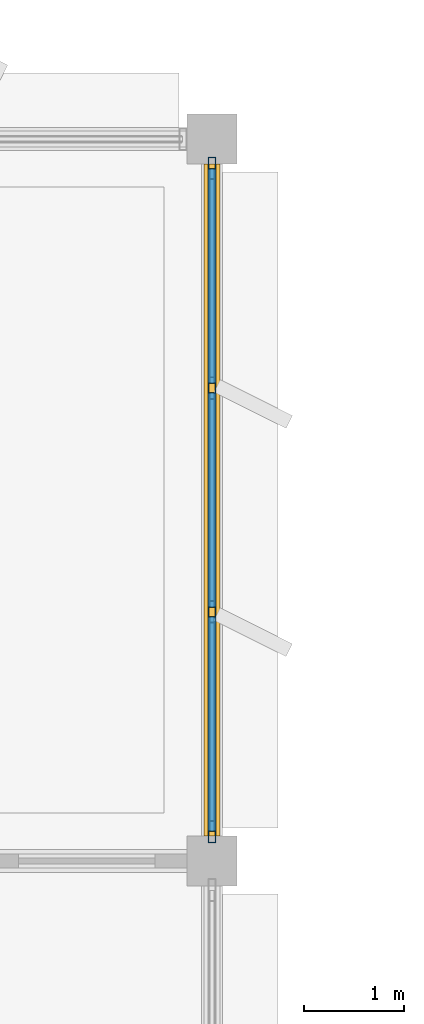
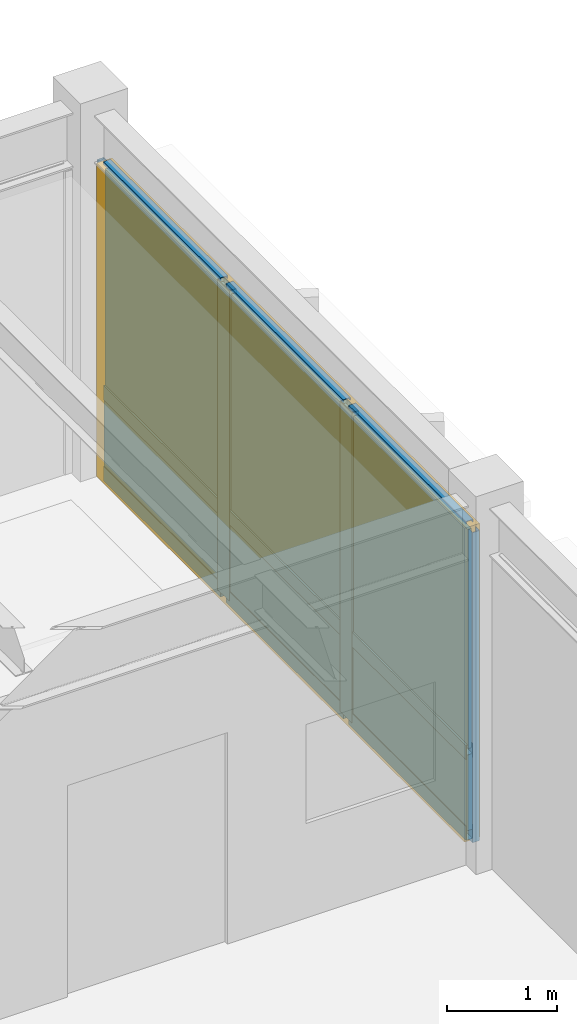
# One storey, part 69 of 85: 13 members, 6 plates, 1 curtain wall.
"""IFC4 building model written with IfcOpenShell, lengths in metres."""

import ifcopenshell
import ifcopenshell.guid

model = None  # the IFC model being written
_history = None  # IfcOwnerHistory: only IFC2X3 demands one
_inside = {}  # id of a spatial element -> (the spatial element, [elements in it])
_under = {}  # id of a project, library or spatial element -> (it, [spatial elements below it])
_declared = {}  # id of a project -> (the project, [libraries it declares])
_typed = {}  # id of a type object -> (the type object, [elements of that type])
_made_of = {}  # id of a material, layer set ... -> (it, [elements and type objects made of it])


def new_model(schema):
    """Start an empty IFC model of exactly this schema.

    Asked for "IFC4X3", IfcOpenShell would pick the latest addendum, in which some entities
    have other attributes; the version numbers below select the first issue.
    IFC2X3 requires an IfcOwnerHistory on every rooted entity: one is made here for all.
    """
    global model, _history
    if schema == "IFC4X3":
        model = ifcopenshell.file(schema_version=(4, 3, 0, 0))
    else:
        model = ifcopenshell.file(schema=schema)
    _inside.clear()
    _under.clear()
    _declared.clear()
    _typed.clear()
    _made_of.clear()
    _history = None
    if model.schema == "IFC2X3":
        org = make("IfcOrganization", Name="unknown")
        user = make(
            "IfcPersonAndOrganization",
            ThePerson=make("IfcPerson", FamilyName="unknown"),
            TheOrganization=org,
        )
        app = make(
            "IfcApplication",
            ApplicationDeveloper=org,
            Version="unknown",
            ApplicationFullName="unknown",
            ApplicationIdentifier="unknown",
        )
        _history = make(
            "IfcOwnerHistory",
            OwningUser=user,
            OwningApplication=app,
            ChangeAction="ADDED",
            CreationDate=0,
        )
    return model


def make(cls, **values):
    """One entity of the class cls with the attributes given. An attribute that is None is left unset."""
    return model.create_entity(
        cls, **{name: value for name, value in values.items() if value is not None}
    )


def rooted(cls, **values):
    """An entity with a GlobalId (a new one), such as an element, a storey or a relation."""
    return make(cls, GlobalId=ifcopenshell.guid.new(), OwnerHistory=_history, **values)


def si_unit(unit_type, name, prefix=None):
    """IfcSIUnit, for example si_unit("LENGTHUNIT", "METRE", prefix="MILLI")."""
    return make("IfcSIUnit", UnitType=unit_type, Prefix=prefix, Name=name)


def assignment(units):
    """IfcUnitAssignment: the units of a project."""
    return None if units is None else make("IfcUnitAssignment", Units=units)


def point(xyz):
    """IfcCartesianPoint."""
    return None if xyz is None else make("IfcCartesianPoint", Coordinates=xyz)


def direction(xyz):
    """IfcDirection."""
    return None if xyz is None else make("IfcDirection", DirectionRatios=xyz)


def frame(location, z_axis=None, x_axis=None):
    """IfcAxis2Placement3D, a coordinate frame: its origin and axes. An axis left out is left unset."""
    return make(
        "IfcAxis2Placement3D",
        Location=point(location),
        Axis=direction(z_axis),
        RefDirection=direction(x_axis),
    )


def frame_2d(location, x_axis=None):
    """IfcAxis2Placement2D, a coordinate frame in the plane: its origin and x axis."""
    return make(
        "IfcAxis2Placement2D", Location=point(location), RefDirection=direction(x_axis)
    )


def origin():
    """The frame at (0, 0, 0) with its axes left unset."""
    return frame((0.0, 0.0, 0.0))


def origin_2d():
    """The frame at (0, 0) in the plane with its x axis left unset."""
    return frame_2d((0.0, 0.0))


def place(relative_to, where):
    """IfcLocalPlacement: puts the frame where relative to a parent placement (None: the world)."""
    return make(
        "IfcLocalPlacement", PlacementRelTo=relative_to, RelativePlacement=where
    )


def context(
    kind, dimensions, precision=None, world=None, true_north=None, identifier=None
):
    """IfcGeometricRepresentationContext, for example the 3D "Model" context."""
    return make(
        "IfcGeometricRepresentationContext",
        ContextIdentifier=identifier,
        ContextType=kind,
        CoordinateSpaceDimension=dimensions,
        Precision=precision,
        WorldCoordinateSystem=world,
        TrueNorth=true_north,
    )


def subcontext(parent, identifier, kind, view, scale=None):
    """IfcGeometricRepresentationSubContext, for example "Body" below "Model"."""
    return make(
        "IfcGeometricRepresentationSubContext",
        ContextIdentifier=identifier,
        ContextType=kind,
        ParentContext=parent,
        TargetScale=scale,
        TargetView=view,
    )


def project(units=None, contexts=None):
    """IfcProject with its units and contexts."""
    return rooted(
        "IfcProject",
        Name="project",
        RepresentationContexts=contexts,
        UnitsInContext=assignment(units),
    )


def spatial(cls, under=None, at=None, **own):
    """A site, building, storey or space (cls), placed at a placement, below another one or the project."""
    s = rooted(cls, ObjectPlacement=at, **own)
    if under is not None:
        _under.setdefault(under.id(), (under, []))[1].append(s)
    return s


def profile(cls, at=None, kind="AREA", **sizes):
    """A parametric profile (cls). Its sizes go by their IFC names, for example OverallWidth=200.0."""
    return make(cls, ProfileType=kind, Position=at, **sizes)


def rectangle(**sizes):
    """IfcRectangleProfileDef."""
    return profile("IfcRectangleProfileDef", **sizes)


def hollow_rectangle(**sizes):
    """IfcRectangleHollowProfileDef."""
    return profile("IfcRectangleHollowProfileDef", **sizes)


def extrude(swept, where, along, depth):
    """IfcExtrudedAreaSolid: the profile swept, set in the frame where, extruded along a direction by depth."""
    return make(
        "IfcExtrudedAreaSolid",
        SweptArea=swept,
        Position=where,
        ExtrudedDirection=direction(along),
        Depth=depth,
    )


def shape(context_of_items, identifier, shape_type, items):
    """IfcShapeRepresentation: the items that make up one representation, for example the "Body"."""
    return make(
        "IfcShapeRepresentation",
        ContextOfItems=context_of_items,
        RepresentationIdentifier=identifier,
        RepresentationType=shape_type,
        Items=items,
    )


def material(Name=None, Category=None):
    """IfcMaterial."""
    return make("IfcMaterial", Name=Name, Category=Category)


def layer(
    of_material, thickness, ventilated=None, Name=None, Category=None, Priority=None
):
    """IfcMaterialLayer: one layer of a wall or slab, of a material (None: an air gap)."""
    return make(
        "IfcMaterialLayer",
        Material=of_material,
        LayerThickness=thickness,
        IsVentilated=ventilated,
        Name=Name,
        Category=Category,
        Priority=Priority,
    )


def layer_set(layers, Name=None):
    """IfcMaterialLayerSet."""
    return make("IfcMaterialLayerSet", MaterialLayers=layers, LayerSetName=Name)


def material_profile(
    of_material, cross_section, Name=None, Category=None, Priority=None
):
    """IfcMaterialProfile: a cross section and its material."""
    return make(
        "IfcMaterialProfile",
        Name=Name,
        Material=of_material,
        Profile=cross_section,
        Priority=Priority,
        Category=Category,
    )


def profile_set(profiles, Name=None, composite=None):
    """IfcMaterialProfileSet."""
    return make(
        "IfcMaterialProfileSet",
        Name=Name,
        MaterialProfiles=profiles,
        CompositeProfile=composite,
    )


def made_of(thing, what):
    """Note that an element or type object is made of a material, layer set ...; save() writes the relation."""
    if what is not None:
        _made_of.setdefault(what.id(), (what, []))[1].append(thing)
    return thing


def type_object(cls, material=None, **own):
    """A type object (cls), such as IfcWallType, which elements share."""
    return made_of(rooted(cls, **own), material)


def element(
    cls,
    number,
    at=None,
    inside=None,
    cuts=None,
    type_object=None,
    material=None,
    context=None,
    identifier="Body",
    shape_type=None,
    held_by="IfcProductDefinitionShape",
    body=None,
    shapes=None,
    **own,
):
    """One element of the class cls, such as IfcWall. Its Tag is "e" and its number.

    at: its placement. inside: the storey or other place that contains it. cuts: it is an
    opening in that element (IfcRelVoidsElement). A single representation is given by context,
    identifier, shape_type and body (its items); several are given by shapes. held_by: the class
    of the entity that holds the representations. save() writes the other relations.
    """
    e = rooted(cls, Tag="e%d" % number, ObjectPlacement=at, **own)
    if body is not None:
        shapes = [shape(context, identifier, shape_type, body)]
    if shapes is not None:
        e.Representation = make(held_by, Representations=shapes)
    if inside is not None:
        _inside.setdefault(inside.id(), (inside, []))[1].append(e)
    if cuts is not None:
        rooted(
            "IfcRelVoidsElement", RelatingBuildingElement=cuts, RelatedOpeningElement=e
        )
    if type_object is not None:
        _typed.setdefault(type_object.id(), (type_object, []))[1].append(e)
    return made_of(e, material)


def aggregate(whole, parts):
    """IfcRelAggregates: a whole, such as a stair, and the parts it consists of."""
    return rooted("IfcRelAggregates", RelatingObject=whole, RelatedObjects=parts)


def save(model, path):
    """Write the relations noted so far, then the file.

    IfcRelAggregates (storeys below a building ...), IfcRelContainedInSpatialStructure (elements
    in a storey), IfcRelDefinesByType, IfcRelAssociatesMaterial and IfcRelDeclares: one each for
    every whole, place, type object, material and project.
    """
    for whole, parts in _under.values():
        aggregate(whole, parts)
    for where, things in _inside.values():
        rooted(
            "IfcRelContainedInSpatialStructure",
            RelatedElements=things,
            RelatingStructure=where,
        )
    for kind, things in _typed.values():
        rooted("IfcRelDefinesByType", RelatedObjects=things, RelatingType=kind)
    for what, things in _made_of.values():
        rooted("IfcRelAssociatesMaterial", RelatedObjects=things, RelatingMaterial=what)
    for by, libraries in _declared.values():
        rooted("IfcRelDeclares", RelatingContext=by, RelatedDefinitions=libraries)
    model.write(path)


model = new_model("IFC4")

# Units and contexts
model_context = context("Model", 3, precision=1e-05, world=origin(), true_north=direction((0.0, 1.0)))
body_context = subcontext(model_context, "Body", "Model", "MODEL_VIEW")
ifc_project = project(units=[si_unit("LENGTHUNIT", "METRE"), si_unit("AREAUNIT", "SQUARE_METRE"), si_unit("VOLUMEUNIT", "CUBIC_METRE"), si_unit("PLANEANGLEUNIT", "RADIAN"), si_unit("MASSUNIT", "GRAM", prefix="KILO")], contexts=[model_context])

# Member
ifc_material_1 = material(Name="Anodized Aluminium 6063-T6", Category="aluminium")
ifc_material_profile_1 = material_profile(ifc_material_1, hollow_rectangle(XDim=0.074951171875, YDim=0.219970703125, WallThickness=0.0048828125, at=origin_2d()), Name="ALU 75x220x5")
ifc_profile_set_1 = profile_set([ifc_material_profile_1], Name="Anodized Aluminium 6063-T6")
member_type_1 = type_object("IfcMemberType", Name="CWM-75X180", PredefinedType="MULLION", material=ifc_profile_set_1)
site_placement = place(None, origin())
building_placement = place(site_placement, origin())
storey_placement = place(building_placement, frame((0.0, 0.0, 9.89990234375)))
member_1_placement = place(storey_placement, frame((136.800048828125, 78.909912109375, 0.02001953125), z_axis=(0.0, 0.0, 1.0), x_axis=(1.0, 0.0, 0.0)))
member_1 = element("IfcMember", 1, at=member_1_placement, type_object=member_type_1, Name="Curtain wall mullion CW-L03-18-10-E-00", PredefinedType="MULLION", context=body_context, shape_type="SweptSolid", body=[
    extrude(hollow_rectangle(XDim=0.074951171875, YDim=0.219970703125, WallThickness=0.0048828125, at=origin_2d()), origin(), (0.0, 0.0, 1.0), 3.447021484375),
])

member_2_placement = place(storey_placement, frame((136.800048828125, 76.716796875, 0.02001953125), z_axis=(0.0, 0.0, 1.0), x_axis=(1.0, 0.0, 0.0)))
member_2 = element("IfcMember", 2, at=member_2_placement, type_object=member_type_1, Name="Curtain wall mullion CW-L03-18-10-E-01", PredefinedType="MULLION", context=body_context, shape_type="SweptSolid", body=[
    extrude(hollow_rectangle(XDim=0.074951171875, YDim=0.219970703125, WallThickness=0.0048828125, at=origin_2d()), origin(), (0.0, 0.0, 1.0), 3.447021484375),
])

member_3_placement = place(storey_placement, frame((136.800048828125, 74.4833984375, 0.02001953125), z_axis=(0.0, 0.0, 1.0), x_axis=(1.0, 0.0, 0.0)))
member_3 = element("IfcMember", 3, at=member_3_placement, type_object=member_type_1, Name="Curtain wall mullion CW-L03-18-10-E-02", PredefinedType="MULLION", context=body_context, shape_type="SweptSolid", body=[
    extrude(hollow_rectangle(XDim=0.074951171875, YDim=0.219970703125, WallThickness=0.0048828125, at=origin_2d()), origin(), (0.0, 0.0, 1.0), 3.447021484375),
])

member_4_placement = place(storey_placement, frame((136.800048828125, 72.2900390625, 0.02001953125), z_axis=(0.0, 0.0, 1.0), x_axis=(1.0, 0.0, 0.0)))
member_4 = element("IfcMember", 4, at=member_4_placement, type_object=member_type_1, Name="Curtain wall mullion CW-L03-18-10-E-03", PredefinedType="MULLION", context=body_context, shape_type="SweptSolid", body=[
    extrude(hollow_rectangle(XDim=0.074951171875, YDim=0.219970703125, WallThickness=0.0048828125, at=origin_2d()), origin(), (0.0, 0.0, 1.0), 3.447021484375),
])

ifc_material_profile_2 = material_profile(ifc_material_1, hollow_rectangle(XDim=0.074951171875, YDim=0.159912109375, WallThickness=0.00390625, at=origin_2d()), Name="ALU 75x160x4")
ifc_profile_set_2 = profile_set([ifc_material_profile_2], Name="Anodized Aluminium 6063-T6")
member_type_2 = type_object("IfcMemberType", Name="CWT-75X150", PredefinedType="USERDEFINED", material=ifc_profile_set_2)
member_5_placement = place(storey_placement, frame((136.800048828125, 78.89990234375, 0.050048828125), z_axis=(0.0, -1.0, 0.0), x_axis=(1.0, 0.0, 0.0)))
member_5 = element("IfcMember", 5, at=member_5_placement, type_object=member_type_2, Name="Curtain wall transom CW-L03-18-10-E-1.01", ObjectType="TRANSOM", PredefinedType="USERDEFINED", context=body_context, shape_type="SweptSolid", body=[
    extrude(hollow_rectangle(XDim=0.074951171875, YDim=0.159912109375, WallThickness=0.00390625, at=origin_2d()), origin(), (0.0, 0.0, 1.0), 2.13330078125),
])

member_6_placement = place(storey_placement, frame((136.800048828125, 76.666748046875, 0.050048828125), z_axis=(0.0, -1.0, 0.0), x_axis=(1.0, 0.0, 0.0)))
member_6 = element("IfcMember", 6, at=member_6_placement, type_object=member_type_2, Name="Curtain wall transom CW-L03-18-10-E-1.02", ObjectType="TRANSOM", PredefinedType="USERDEFINED", context=body_context, shape_type="SweptSolid", body=[
    extrude(hollow_rectangle(XDim=0.074951171875, YDim=0.159912109375, WallThickness=0.00390625, at=origin_2d()), origin(), (0.0, 0.0, 1.0), 2.133544921875),
])

member_7_placement = place(storey_placement, frame((136.800048828125, 74.433349609375, 0.050048828125), z_axis=(0.0, -1.0, 0.0), x_axis=(1.0, 0.0, 0.0)))
member_7 = element("IfcMember", 7, at=member_7_placement, type_object=member_type_2, Name="Curtain wall transom CW-L03-18-10-E-1.03", ObjectType="TRANSOM", PredefinedType="USERDEFINED", context=body_context, shape_type="SweptSolid", body=[
    extrude(hollow_rectangle(XDim=0.074951171875, YDim=0.159912109375, WallThickness=0.00390625, at=origin_2d()), origin(), (0.0, 0.0, 1.0), 2.13330078125),
])

member_8_placement = place(storey_placement, frame((136.800048828125, 78.89990234375, 0.9501953125), z_axis=(0.0, -1.0, 0.0), x_axis=(1.0, 0.0, 0.0)))
member_8 = element("IfcMember", 8, at=member_8_placement, type_object=member_type_2, Name="Curtain wall transom CW-L03-18-10-E-2.01", ObjectType="TRANSOM", PredefinedType="USERDEFINED", context=body_context, shape_type="SweptSolid", body=[
    extrude(hollow_rectangle(XDim=0.074951171875, YDim=0.159912109375, WallThickness=0.00390625, at=origin_2d()), origin(), (0.0, 0.0, 1.0), 2.13330078125),
])

member_9_placement = place(storey_placement, frame((136.800048828125, 76.666748046875, 0.9501953125), z_axis=(0.0, -1.0, 0.0), x_axis=(1.0, 0.0, 0.0)))
member_9 = element("IfcMember", 9, at=member_9_placement, type_object=member_type_2, Name="Curtain wall transom CW-L03-18-10-E-2.02", ObjectType="TRANSOM", PredefinedType="USERDEFINED", context=body_context, shape_type="SweptSolid", body=[
    extrude(hollow_rectangle(XDim=0.074951171875, YDim=0.159912109375, WallThickness=0.00390625, at=origin_2d()), origin(), (0.0, 0.0, 1.0), 2.133544921875),
])

member_10_placement = place(storey_placement, frame((136.800048828125, 74.433349609375, 0.9501953125), z_axis=(0.0, -1.0, 0.0), x_axis=(1.0, 0.0, 0.0)))
member_10 = element("IfcMember", 10, at=member_10_placement, type_object=member_type_2, Name="Curtain wall transom CW-L03-18-10-E-2.03", ObjectType="TRANSOM", PredefinedType="USERDEFINED", context=body_context, shape_type="SweptSolid", body=[
    extrude(hollow_rectangle(XDim=0.074951171875, YDim=0.159912109375, WallThickness=0.00390625, at=origin_2d()), origin(), (0.0, 0.0, 1.0), 2.13330078125),
])

member_11_placement = place(storey_placement, frame((136.800048828125, 78.89990234375, 3.43701171875), z_axis=(0.0, -1.0, 0.0), x_axis=(1.0, 0.0, 0.0)))
member_11 = element("IfcMember", 11, at=member_11_placement, type_object=member_type_2, Name="Curtain wall transom CW-L03-18-10-E-3.01", ObjectType="TRANSOM", PredefinedType="USERDEFINED", context=body_context, shape_type="SweptSolid", body=[
    extrude(hollow_rectangle(XDim=0.074951171875, YDim=0.159912109375, WallThickness=0.00390625, at=origin_2d()), origin(), (0.0, 0.0, 1.0), 2.13330078125),
])

member_12_placement = place(storey_placement, frame((136.800048828125, 76.666748046875, 3.43701171875), z_axis=(0.0, -1.0, 0.0), x_axis=(1.0, 0.0, 0.0)))
member_12 = element("IfcMember", 12, at=member_12_placement, type_object=member_type_2, Name="Curtain wall transom CW-L03-18-10-E-3.02", ObjectType="TRANSOM", PredefinedType="USERDEFINED", context=body_context, shape_type="SweptSolid", body=[
    extrude(hollow_rectangle(XDim=0.074951171875, YDim=0.159912109375, WallThickness=0.00390625, at=origin_2d()), origin(), (0.0, 0.0, 1.0), 2.133544921875),
])

member_13_placement = place(storey_placement, frame((136.800048828125, 74.433349609375, 3.43701171875), z_axis=(0.0, -1.0, 0.0), x_axis=(1.0, 0.0, 0.0)))
member_13 = element("IfcMember", 13, at=member_13_placement, type_object=member_type_2, Name="Curtain wall transom CW-L03-18-10-E-3.03", ObjectType="TRANSOM", PredefinedType="USERDEFINED", context=body_context, shape_type="SweptSolid", body=[
    extrude(hollow_rectangle(XDim=0.074951171875, YDim=0.159912109375, WallThickness=0.00390625, at=origin_2d()), origin(), (0.0, 0.0, 1.0), 2.13330078125),
])

# Plate
ifc_material_2 = material(Name="Acoustic Laminated Low-E Glazing", Category="glass")
ifc_layer_1 = layer(ifc_material_2, 0.0439453125)
ifc_layer_set_1 = layer_set([ifc_layer_1], Name="Acoustic Laminated Low-E Glazing")
plate_type_1 = type_object("IfcPlateType", Name="CWP-IGU-44", PredefinedType="CURTAIN_PANEL", material=ifc_layer_set_1)
plate_1_placement = place(storey_placement, frame((136.800048828125, 77.833251953125, 0.989990234375), z_axis=(0.0, 0.0, 1.0), x_axis=(0.0, -1.0, 0.0)))
plate_1 = element("IfcPlate", 14, at=plate_1_placement, type_object=plate_type_1, Name="Curtain wall vision glazing CW-L03-18-10-E-01", PredefinedType="CURTAIN_PANEL", context=body_context, shape_type="SweptSolid", body=[
    extrude(rectangle(XDim=2.143310546875, YDim=0.0400390625, at=origin_2d()), origin(), (0.0, 0.0, 1.0), 2.43701171875),
])

plate_2_placement = place(storey_placement, frame((136.800048828125, 75.60009765625, 0.989990234375), z_axis=(0.0, 0.0, 1.0), x_axis=(0.0, -1.0, 0.0)))
plate_2 = element("IfcPlate", 15, at=plate_2_placement, type_object=plate_type_1, Name="Curtain wall vision glazing CW-L03-18-10-E-02", PredefinedType="CURTAIN_PANEL", context=body_context, shape_type="SweptSolid", body=[
    extrude(rectangle(XDim=2.143310546875, YDim=0.0400390625, at=origin_2d()), origin(), (0.0, 0.0, 1.0), 2.43701171875),
])

plate_3_placement = place(storey_placement, frame((136.800048828125, 73.36669921875, 0.989990234375), z_axis=(0.0, 0.0, 1.0), x_axis=(0.0, -1.0, 0.0)))
plate_3 = element("IfcPlate", 16, at=plate_3_placement, type_object=plate_type_1, Name="Curtain wall vision glazing CW-L03-18-10-E-03", PredefinedType="CURTAIN_PANEL", context=body_context, shape_type="SweptSolid", body=[
    extrude(rectangle(XDim=2.143310546875, YDim=0.0400390625, at=origin_2d()), origin(), (0.0, 0.0, 1.0), 2.43701171875),
])

ifc_material_3 = material(Name="Insulated Stone-Composite Spandrel", Category="masonry")
ifc_layer_2 = layer(ifc_material_3, 0.068115234375)
ifc_layer_set_2 = layer_set([ifc_layer_2], Name="Insulated Stone-Composite Spandrel")
plate_type_2 = type_object("IfcPlateType", Name="CWP-SPN-68", PredefinedType="CURTAIN_PANEL", material=ifc_layer_set_2)
plate_4_placement = place(storey_placement, frame((136.800048828125, 77.833251953125, 0.080078125), z_axis=(0.0, 0.0, 1.0), x_axis=(0.0, -1.0, 0.0)))
plate_4 = element("IfcPlate", 17, at=plate_4_placement, type_object=plate_type_2, Name="Curtain wall spandrel panel CW-L03-18-10-E-01", PredefinedType="CURTAIN_PANEL", context=body_context, shape_type="SweptSolid", body=[
    extrude(rectangle(XDim=2.143310546875, YDim=0.06005859375, at=origin_2d()), origin(), (0.0, 0.0, 1.0), 0.840087890625),
])

plate_5_placement = place(storey_placement, frame((136.800048828125, 75.60009765625, 0.080078125), z_axis=(0.0, 0.0, 1.0), x_axis=(0.0, -1.0, 0.0)))
plate_5 = element("IfcPlate", 18, at=plate_5_placement, type_object=plate_type_2, Name="Curtain wall spandrel panel CW-L03-18-10-E-02", PredefinedType="CURTAIN_PANEL", context=body_context, shape_type="SweptSolid", body=[
    extrude(rectangle(XDim=2.143310546875, YDim=0.06005859375, at=origin_2d()), origin(), (0.0, 0.0, 1.0), 0.840087890625),
])

plate_6_placement = place(storey_placement, frame((136.800048828125, 73.36669921875, 0.080078125), z_axis=(0.0, 0.0, 1.0), x_axis=(0.0, -1.0, 0.0)))
plate_6 = element("IfcPlate", 19, at=plate_6_placement, type_object=plate_type_2, Name="Curtain wall spandrel panel CW-L03-18-10-E-03", PredefinedType="CURTAIN_PANEL", context=body_context, shape_type="SweptSolid", body=[
    extrude(rectangle(XDim=2.143310546875, YDim=0.06005859375, at=origin_2d()), origin(), (0.0, 0.0, 1.0), 0.840087890625),
])

# Site, building, storey
site = spatial("IfcSite", under=ifc_project, at=site_placement, CompositionType="ELEMENT")
building = spatial("IfcBuilding", under=site, at=building_placement, Name="Sillqori Civic Hall", CompositionType="ELEMENT")
storey = spatial("IfcBuildingStorey", under=building, at=storey_placement, Name="L03", CompositionType="ELEMENT", Elevation=9.89990234375)

# Curtain wall
ifc_material_4 = material(Name="Anodized Aluminium Curtain Wall System", Category="aluminium")
curtain_wall_type = type_object("IfcCurtainWallType", Name="CW-GL-400", PredefinedType="NOTDEFINED", material=ifc_material_4)
curtain_wall_placement = place(storey_placement, frame((136.800048828125, 75.60009765625, 0.0), z_axis=(0.0, 0.0, 1.0), x_axis=(0.0, -1.0, 0.0)))
curtain_wall = element("IfcCurtainWall", 20, at=curtain_wall_placement, inside=storey, type_object=curtain_wall_type, Name="L03 unitised curtain wall CW-L03-18-10-E", PredefinedType="NOTDEFINED", context=body_context, shape_type="SweptSolid", body=[
    extrude(rectangle(XDim=6.699951171875, YDim=0.159912109375, at=origin_2d()), origin(), (0.0, 0.0, 1.0), 3.487060546875),
])

aggregate(curtain_wall, [member_1, member_2, member_3, member_4, member_5, member_6, member_7, member_8, member_9, member_10, member_11, member_12, member_13, plate_4, plate_1, plate_5, plate_2, plate_6, plate_3])

save(model, "model.ifc")
